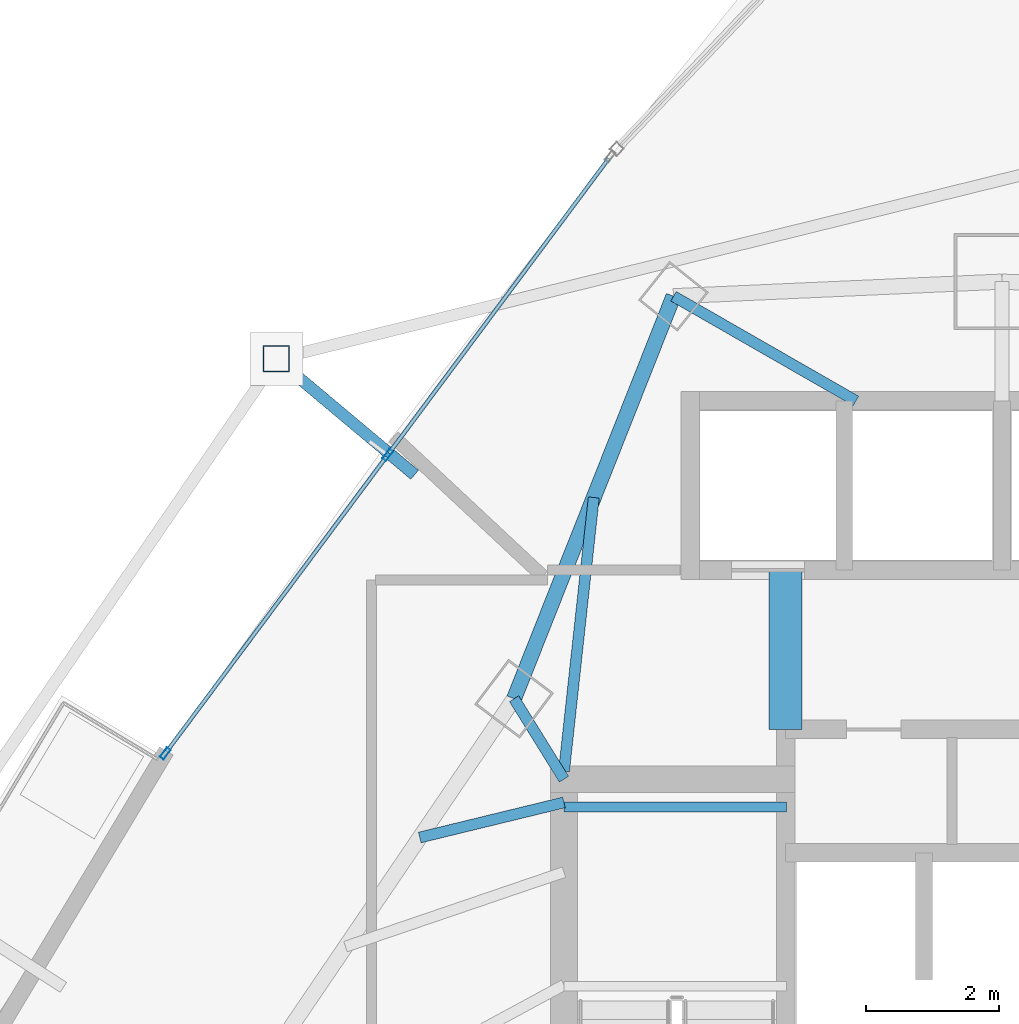
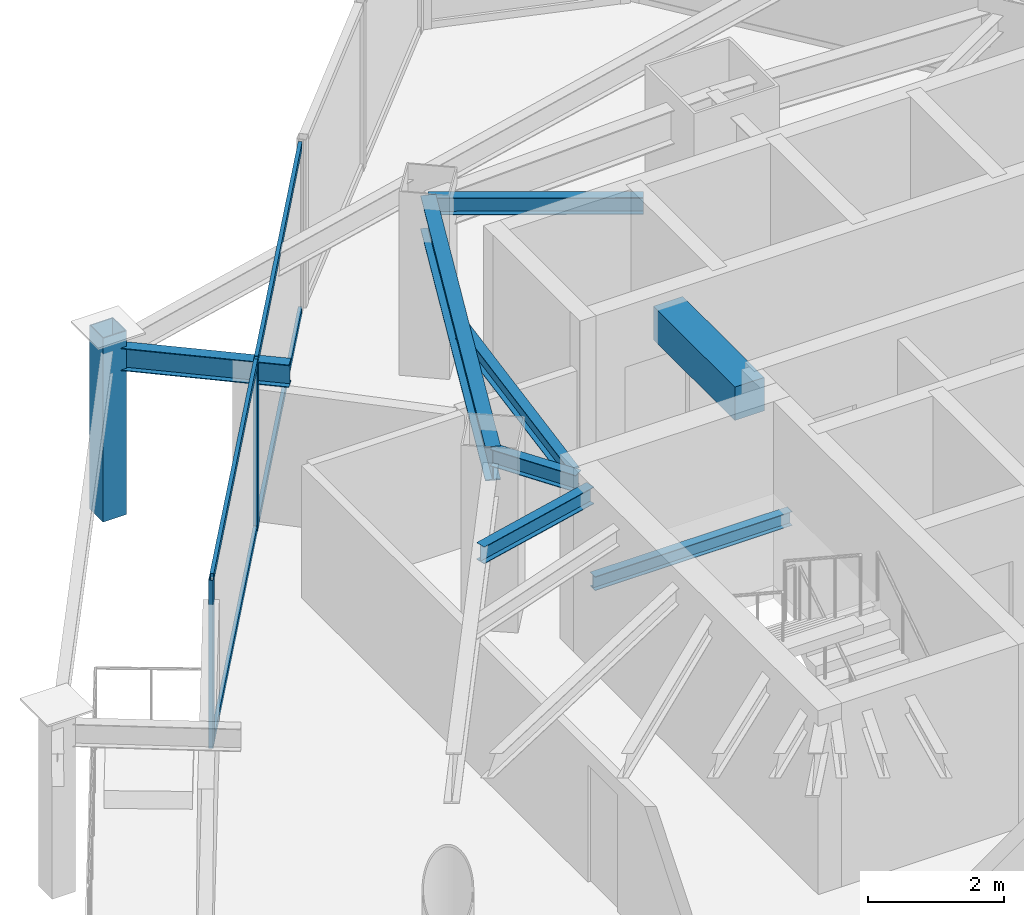
# One storey, part 18 of 30: 8 beams, 7 members, 1 element without a shape of its own.
"""IFC4 building model written with IfcOpenShell, lengths in metres."""

import ifcopenshell
import ifcopenshell.guid

model = None  # the IFC model being written
_history = None  # IfcOwnerHistory: only IFC2X3 demands one
_inside = {}  # id of a spatial element -> (the spatial element, [elements in it])
_under = {}  # id of a project, library or spatial element -> (it, [spatial elements below it])
_declared = {}  # id of a project -> (the project, [libraries it declares])
_typed = {}  # id of a type object -> (the type object, [elements of that type])
_made_of = {}  # id of a material, layer set ... -> (it, [elements and type objects made of it])


def new_model(schema):
    """Start an empty IFC model of exactly this schema.

    Asked for "IFC4X3", IfcOpenShell would pick the latest addendum, in which some entities
    have other attributes; the version numbers below select the first issue.
    IFC2X3 requires an IfcOwnerHistory on every rooted entity: one is made here for all.
    """
    global model, _history
    if schema == "IFC4X3":
        model = ifcopenshell.file(schema_version=(4, 3, 0, 0))
    else:
        model = ifcopenshell.file(schema=schema)
    _inside.clear()
    _under.clear()
    _declared.clear()
    _typed.clear()
    _made_of.clear()
    _history = None
    if model.schema == "IFC2X3":
        org = make("IfcOrganization", Name="unknown")
        user = make(
            "IfcPersonAndOrganization",
            ThePerson=make("IfcPerson", FamilyName="unknown"),
            TheOrganization=org,
        )
        app = make(
            "IfcApplication",
            ApplicationDeveloper=org,
            Version="unknown",
            ApplicationFullName="unknown",
            ApplicationIdentifier="unknown",
        )
        _history = make(
            "IfcOwnerHistory",
            OwningUser=user,
            OwningApplication=app,
            ChangeAction="ADDED",
            CreationDate=0,
        )
    return model


def make(cls, **values):
    """One entity of the class cls with the attributes given. An attribute that is None is left unset."""
    return model.create_entity(
        cls, **{name: value for name, value in values.items() if value is not None}
    )


def rooted(cls, **values):
    """An entity with a GlobalId (a new one), such as an element, a storey or a relation."""
    return make(cls, GlobalId=ifcopenshell.guid.new(), OwnerHistory=_history, **values)


def si_unit(unit_type, name, prefix=None):
    """IfcSIUnit, for example si_unit("LENGTHUNIT", "METRE", prefix="MILLI")."""
    return make("IfcSIUnit", UnitType=unit_type, Prefix=prefix, Name=name)


def assignment(units):
    """IfcUnitAssignment: the units of a project."""
    return None if units is None else make("IfcUnitAssignment", Units=units)


def point(xyz):
    """IfcCartesianPoint."""
    return None if xyz is None else make("IfcCartesianPoint", Coordinates=xyz)


def direction(xyz):
    """IfcDirection."""
    return None if xyz is None else make("IfcDirection", DirectionRatios=xyz)


def frame(location, z_axis=None, x_axis=None):
    """IfcAxis2Placement3D, a coordinate frame: its origin and axes. An axis left out is left unset."""
    return make(
        "IfcAxis2Placement3D",
        Location=point(location),
        Axis=direction(z_axis),
        RefDirection=direction(x_axis),
    )


def frame_2d(location, x_axis=None):
    """IfcAxis2Placement2D, a coordinate frame in the plane: its origin and x axis."""
    return make(
        "IfcAxis2Placement2D", Location=point(location), RefDirection=direction(x_axis)
    )


def origin():
    """The frame at (0, 0, 0) with its axes left unset."""
    return frame((0.0, 0.0, 0.0))


def origin_2d():
    """The frame at (0, 0) in the plane with its x axis left unset."""
    return frame_2d((0.0, 0.0))


def place(relative_to, where):
    """IfcLocalPlacement: puts the frame where relative to a parent placement (None: the world)."""
    return make(
        "IfcLocalPlacement", PlacementRelTo=relative_to, RelativePlacement=where
    )


def context(
    kind, dimensions, precision=None, world=None, true_north=None, identifier=None
):
    """IfcGeometricRepresentationContext, for example the 3D "Model" context."""
    return make(
        "IfcGeometricRepresentationContext",
        ContextIdentifier=identifier,
        ContextType=kind,
        CoordinateSpaceDimension=dimensions,
        Precision=precision,
        WorldCoordinateSystem=world,
        TrueNorth=true_north,
    )


def subcontext(parent, identifier, kind, view, scale=None):
    """IfcGeometricRepresentationSubContext, for example "Body" below "Model"."""
    return make(
        "IfcGeometricRepresentationSubContext",
        ContextIdentifier=identifier,
        ContextType=kind,
        ParentContext=parent,
        TargetScale=scale,
        TargetView=view,
    )


def project(units=None, contexts=None):
    """IfcProject with its units and contexts."""
    return rooted(
        "IfcProject",
        Name="project",
        RepresentationContexts=contexts,
        UnitsInContext=assignment(units),
    )


def spatial(cls, under=None, at=None, **own):
    """A site, building, storey or space (cls), placed at a placement, below another one or the project."""
    s = rooted(cls, ObjectPlacement=at, **own)
    if under is not None:
        _under.setdefault(under.id(), (under, []))[1].append(s)
    return s


def profile(cls, at=None, kind="AREA", **sizes):
    """A parametric profile (cls). Its sizes go by their IFC names, for example OverallWidth=200.0."""
    return make(cls, ProfileType=kind, Position=at, **sizes)


def rectangle(**sizes):
    """IfcRectangleProfileDef."""
    return profile("IfcRectangleProfileDef", **sizes)


def hollow_rectangle(**sizes):
    """IfcRectangleHollowProfileDef."""
    return profile("IfcRectangleHollowProfileDef", **sizes)


def i_section(**sizes):
    """IfcIShapeProfileDef."""
    return profile("IfcIShapeProfileDef", **sizes)


def extrude(swept, where, along, depth):
    """IfcExtrudedAreaSolid: the profile swept, set in the frame where, extruded along a direction by depth."""
    return make(
        "IfcExtrudedAreaSolid",
        SweptArea=swept,
        Position=where,
        ExtrudedDirection=direction(along),
        Depth=depth,
    )


def shape(context_of_items, identifier, shape_type, items):
    """IfcShapeRepresentation: the items that make up one representation, for example the "Body"."""
    return make(
        "IfcShapeRepresentation",
        ContextOfItems=context_of_items,
        RepresentationIdentifier=identifier,
        RepresentationType=shape_type,
        Items=items,
    )


def material(Name=None, Category=None):
    """IfcMaterial."""
    return make("IfcMaterial", Name=Name, Category=Category)


def layer(
    of_material, thickness, ventilated=None, Name=None, Category=None, Priority=None
):
    """IfcMaterialLayer: one layer of a wall or slab, of a material (None: an air gap)."""
    return make(
        "IfcMaterialLayer",
        Material=of_material,
        LayerThickness=thickness,
        IsVentilated=ventilated,
        Name=Name,
        Category=Category,
        Priority=Priority,
    )


def layer_set(layers, Name=None):
    """IfcMaterialLayerSet."""
    return make("IfcMaterialLayerSet", MaterialLayers=layers, LayerSetName=Name)


def material_profile(
    of_material, cross_section, Name=None, Category=None, Priority=None
):
    """IfcMaterialProfile: a cross section and its material."""
    return make(
        "IfcMaterialProfile",
        Name=Name,
        Material=of_material,
        Profile=cross_section,
        Priority=Priority,
        Category=Category,
    )


def profile_set(profiles, Name=None, composite=None):
    """IfcMaterialProfileSet."""
    return make(
        "IfcMaterialProfileSet",
        Name=Name,
        MaterialProfiles=profiles,
        CompositeProfile=composite,
    )


def made_of(thing, what):
    """Note that an element or type object is made of a material, layer set ...; save() writes the relation."""
    if what is not None:
        _made_of.setdefault(what.id(), (what, []))[1].append(thing)
    return thing


def type_object(cls, material=None, **own):
    """A type object (cls), such as IfcWallType, which elements share."""
    return made_of(rooted(cls, **own), material)


def element(
    cls,
    number,
    at=None,
    inside=None,
    cuts=None,
    type_object=None,
    material=None,
    context=None,
    identifier="Body",
    shape_type=None,
    held_by="IfcProductDefinitionShape",
    body=None,
    shapes=None,
    **own,
):
    """One element of the class cls, such as IfcWall. Its Tag is "e" and its number.

    at: its placement. inside: the storey or other place that contains it. cuts: it is an
    opening in that element (IfcRelVoidsElement). A single representation is given by context,
    identifier, shape_type and body (its items); several are given by shapes. held_by: the class
    of the entity that holds the representations. save() writes the other relations.
    """
    e = rooted(cls, Tag="e%d" % number, ObjectPlacement=at, **own)
    if body is not None:
        shapes = [shape(context, identifier, shape_type, body)]
    if shapes is not None:
        e.Representation = make(held_by, Representations=shapes)
    if inside is not None:
        _inside.setdefault(inside.id(), (inside, []))[1].append(e)
    if cuts is not None:
        rooted(
            "IfcRelVoidsElement", RelatingBuildingElement=cuts, RelatedOpeningElement=e
        )
    if type_object is not None:
        _typed.setdefault(type_object.id(), (type_object, []))[1].append(e)
    return made_of(e, material)


def aggregate(whole, parts):
    """IfcRelAggregates: a whole, such as a stair, and the parts it consists of."""
    return rooted("IfcRelAggregates", RelatingObject=whole, RelatedObjects=parts)


def save(model, path):
    """Write the relations noted so far, then the file.

    IfcRelAggregates (storeys below a building ...), IfcRelContainedInSpatialStructure (elements
    in a storey), IfcRelDefinesByType, IfcRelAssociatesMaterial and IfcRelDeclares: one each for
    every whole, place, type object, material and project.
    """
    for whole, parts in _under.values():
        aggregate(whole, parts)
    for where, things in _inside.values():
        rooted(
            "IfcRelContainedInSpatialStructure",
            RelatedElements=things,
            RelatingStructure=where,
        )
    for kind, things in _typed.values():
        rooted("IfcRelDefinesByType", RelatedObjects=things, RelatingType=kind)
    for what, things in _made_of.values():
        rooted("IfcRelAssociatesMaterial", RelatedObjects=things, RelatingMaterial=what)
    for by, libraries in _declared.values():
        rooted("IfcRelDeclares", RelatingContext=by, RelatedDefinitions=libraries)
    model.write(path)


model = new_model("IFC4")

# Units and contexts
model_context = context("Model", 3, precision=1e-05, world=origin(), true_north=direction((0.0, 1.0)))
body_context = subcontext(model_context, "Body", "Model", "MODEL_VIEW")
ifc_project = project(units=[si_unit("LENGTHUNIT", "METRE"), si_unit("AREAUNIT", "SQUARE_METRE"), si_unit("VOLUMEUNIT", "CUBIC_METRE"), si_unit("PLANEANGLEUNIT", "RADIAN"), si_unit("MASSUNIT", "GRAM", prefix="KILO")], contexts=[model_context])

# Site, building, storey
site_placement = place(None, origin())
site = spatial("IfcSite", under=ifc_project, at=site_placement, CompositionType="ELEMENT")
building_placement = place(site_placement, origin())
building = spatial("IfcBuilding", under=site, at=building_placement, Name="Orvanel Arch Residences", CompositionType="ELEMENT")
storey_placement = place(building_placement, frame((0.0, 0.0, 143.0)))
storey = spatial("IfcBuildingStorey", under=building, at=storey_placement, Name="L40", CompositionType="ELEMENT", Elevation=143.0)

# Beams
ifc_material_1 = material(Name="Structural steel AS/NZS 3679.1 Grade 300 (300 MPa)", Category="steel")
ifc_material_profile_1 = material_profile(ifc_material_1, i_section(OverallWidth=0.14599609375, OverallDepth=0.251953125, WebThickness=0.006103515625, FlangeThickness=0.008544921875, at=origin_2d()), Name="250UB31.4")
ifc_profile_set_1 = profile_set([ifc_material_profile_1], Name="Structural steel AS/NZS 3679.1 Grade 300 (300 MPa)")
beam_type_1 = type_object("IfcBeamType", Name="BJ-250UB", PredefinedType="JOIST", material=ifc_profile_set_1)
beam_1_placement = place(storey_placement, frame((26.39990234375, 33.47998046875, 1.323974609375), z_axis=(1.0, 0.0, 0.0), x_axis=(0.0, 1.0, 0.0)))
element("IfcBeam", 1, at=beam_1_placement, inside=storey, type_object=beam_type_1, Name="L40 ST-1 Half-Landing Support Beam 1.2", PredefinedType="JOIST", context=body_context, shape_type="SweptSolid", body=[
    extrude(i_section(OverallWidth=0.14599609375, OverallDepth=0.251953125, WebThickness=0.006103515625, FlangeThickness=0.008544921875, at=origin_2d()), origin(), (0.0, 0.0, 1.0), 3.35009765625),
])
ifc_material_profile_2 = material_profile(ifc_material_1, i_section(OverallWidth=0.1650390625, OverallDepth=0.303955078125, WebThickness=0.006103515625, FlangeThickness=0.01025390625, at=origin_2d()), Name="310UB40.4")
ifc_profile_set_2 = profile_set([ifc_material_profile_2], Name="Structural steel AS/NZS 3679.1 Grade 300 (300 MPa)")
beam_type_2 = type_object("IfcBeamType", Name="BJ-310UB", PredefinedType="JOIST", material=ifc_profile_set_2)
beam_2_placement = place(storey_placement, frame((26.39990234375, 33.89990234375, 2.867919921875), z_axis=(-0.526843290616, 0.84996243866, 0.0), x_axis=(-0.84996243866, -0.526843290616, 0.0)))
element("IfcBeam", 2, at=beam_2_placement, inside=storey, type_object=beam_type_2, Name="L40 NNW Wing Floor Joist", PredefinedType="JOIST", context=body_context, shape_type="SweptSolid", body=[
    extrude(i_section(OverallWidth=0.1650390625, OverallDepth=0.303955078125, WebThickness=0.006103515625, FlangeThickness=0.01025390625, at=origin_2d()), origin(), (0.0, 0.0, 1.0), 1.42724609375),
])
beam_3_placement = place(storey_placement, frame((26.39990234375, 34.02001953125, 2.867919921875), z_axis=(0.108261441852, 0.99412245735, 0.0), x_axis=(-0.99412245735, 0.108261441852, 0.0)))
element("IfcBeam", 3, at=beam_3_placement, inside=storey, type_object=beam_type_2, Name="L40 NNW2 Wing Floor Joist", PredefinedType="JOIST", context=body_context, shape_type="SweptSolid", body=[
    extrude(i_section(OverallWidth=0.1650390625, OverallDepth=0.303955078125, WebThickness=0.006103515625, FlangeThickness=0.01025390625, at=origin_2d()), origin(), (0.0, 0.0, 1.0), 4.1494140625),
])
beam_4_placement = place(storey_placement, frame((30.800048828125, 39.60009765625, 2.867919921875), z_axis=(-0.86736513383, 0.497672306458, 0.0), x_axis=(-0.497672306458, -0.86736513383, 0.0)))
element("IfcBeam", 4, at=beam_4_placement, inside=storey, type_object=beam_type_2, Name="L40 MNW Wing Floor Joist", PredefinedType="JOIST", context=body_context, shape_type="SweptSolid", body=[
    extrude(i_section(OverallWidth=0.1650390625, OverallDepth=0.303955078125, WebThickness=0.006103515625, FlangeThickness=0.01025390625, at=origin_2d()), origin(), (0.0, 0.0, 1.0), 3.17041015625),
])
beam_5_placement = place(storey_placement, frame((26.39990234375, 33.550048828125, 2.867919921875), z_axis=(-0.971638471014, -0.236471312521, 0.0), x_axis=(0.236471312521, -0.971638471014, 0.0)))
element("IfcBeam", 5, at=beam_5_placement, inside=storey, type_object=beam_type_2, Name="L40 JADD3 Wing Floor Joist", PredefinedType="JOIST", context=body_context, shape_type="SweptSolid", body=[
    extrude(i_section(OverallWidth=0.1650390625, OverallDepth=0.303955078125, WebThickness=0.006103515625, FlangeThickness=0.01025390625, at=origin_2d()), origin(), (0.0, 0.0, 1.0), 2.2373046875),
])
ifc_material_2 = material(Name="Concrete S65 (65 MPa)", Category="concrete")
ifc_material_profile_3 = material_profile(ifc_material_2, rectangle(XDim=0.5, YDim=0.60009765625, at=origin_2d()), Name="RC500x600")
ifc_profile_set_3 = profile_set([ifc_material_profile_3], Name="Concrete S65 (65 MPa)")
beam_type_3 = type_object("IfcBeamType", Name="CB-500x600", PredefinedType="LINTEL", material=ifc_profile_set_3)
beam_6_placement = place(storey_placement, frame((29.739990234375, 34.64990234375, 2.719970703125), z_axis=(0.0, 1.0, 0.0), x_axis=(-1.0, 0.0, 0.0)))
element("IfcBeam", 6, at=beam_6_placement, inside=storey, type_object=beam_type_3, Name="L40 West Core Lobby Coupling Lintel Beam", PredefinedType="LINTEL", context=body_context, shape_type="SweptSolid", body=[
    extrude(rectangle(XDim=0.5, YDim=0.60009765625, at=origin_2d()), origin(), (0.0, 0.0, 1.0), 2.400146484375),
])

# Curtain wall, members
ifc_material_3 = material(Name="Bronze-anodised aluminium AA6063-T6", Category="aluminium")
ifc_layer = layer(ifc_material_3, 0.179931640625)
ifc_layer_set = layer_set([ifc_layer], Name="Bronze-anodised aluminium AA6063-T6")
curtain_wall_type = type_object("IfcCurtainWallType", Name="CW3-MID-SYS", PredefinedType="NOTDEFINED", material=ifc_layer_set)
curtain_wall_placement = place(storey_placement, origin())
curtain_wall = element("IfcCurtainWall", 7, at=curtain_wall_placement, inside=storey, type_object=curtain_wall_type, Name="L40 CW3-MID-SYS Unitised Curtain Wall", PredefinedType="NOTDEFINED")
ifc_material_profile_4 = material_profile(ifc_material_3, hollow_rectangle(XDim=0.070068359375, YDim=0.179931640625, WallThickness=0.00439453125, at=origin_2d()), Name="ALU180x70x4.5")
ifc_profile_set_4 = profile_set([ifc_material_profile_4], Name="Bronze-anodised aluminium AA6063-T6")
member_type_1 = type_object("IfcMemberType", Name="MUL-180x70", PredefinedType="MULLION", material=ifc_profile_set_4)
member_1_placement = place(storey_placement, frame((23.743408203125, 38.785400390625, 0.0), z_axis=(0.0, 0.0, 1.0), x_axis=(0.801813762641, -0.597574003819, 0.0)))
member_1 = element("IfcMember", 8, at=member_1_placement, type_object=member_type_1, Name="CW-S3 mullion 2", PredefinedType="MULLION", context=body_context, shape_type="SweptSolid", body=[
    extrude(hollow_rectangle(XDim=0.070068359375, YDim=0.179931640625, WallThickness=0.00439453125, at=origin_2d()), origin(), (0.0, 0.0, 1.0), 3.02001953125),
])
member_2_placement = place(storey_placement, frame((20.390869140625, 34.287109375, 0.0), z_axis=(0.0, 0.0, 1.0), x_axis=(0.801813762641, -0.597574003819, 0.0)))
member_2 = element("IfcMember", 9, at=member_2_placement, type_object=member_type_1, Name="CW-S3 mullion 3", PredefinedType="MULLION", context=body_context, shape_type="SweptSolid", body=[
    extrude(hollow_rectangle(XDim=0.070068359375, YDim=0.179931640625, WallThickness=0.00439453125, at=origin_2d()), origin(), (0.0, 0.0, 1.0), 3.02001953125),
])

# Beams
ifc_material_profile_5 = material_profile(ifc_material_1, i_section(OverallWidth=0.177978515625, OverallDepth=0.406005859375, WebThickness=0.0078125, FlangeThickness=0.0126953125, at=origin_2d()), Name="410UB59.7")
ifc_profile_set_5 = profile_set([ifc_material_profile_5], Name="Structural steel AS/NZS 3679.1 Grade 300 (300 MPa)")
beam_type_4 = type_object("IfcBeamType", Name="OB-410UB-EXT", PredefinedType="SPANDREL", material=ifc_profile_set_5)
beam_7_placement = place(storey_placement, frame((24.14892578125, 38.488037109375, 2.81689453125), z_axis=(-0.766435577435, 0.642321185733, 0.0), x_axis=(-0.642321185733, -0.766435577435, 0.0)))
element("IfcBeam", 10, at=beam_7_placement, inside=storey, type_object=beam_type_4, Name="L40 Outer Frame Radial Tie Beam 01", PredefinedType="SPANDREL", context=body_context, shape_type="SweptSolid", body=[
    extrude(i_section(OverallWidth=0.177978515625, OverallDepth=0.406005859375, WebThickness=0.0078125, FlangeThickness=0.0126953125, at=origin_2d()), origin(), (0.0, 0.0, 1.0), 2.716552734375),
])
ifc_material_profile_6 = material_profile(ifc_material_1, i_section(OverallWidth=0.22900390625, OverallDepth=0.612060546875, WebThickness=0.011962890625, FlangeThickness=0.01953125, at=origin_2d()), Name="610UB125")
ifc_profile_set_6 = profile_set([ifc_material_profile_6], Name="Structural steel AS/NZS 3679.1 Grade 300 (300 MPa)")
beam_type_5 = type_object("IfcBeamType", Name="SP-610UB", PredefinedType="SPANDREL", material=ifc_profile_set_6)
beam_8_placement = place(storey_placement, frame((28.050048828125, 41.177978515625, 2.714111328125), z_axis=(-0.368233143579, -0.929733484376, 0.0), x_axis=(0.929733484376, -0.368233143579, 0.0)))
element("IfcBeam", 11, at=beam_8_placement, inside=storey, type_object=beam_type_5, Name="L40 Perimeter Spandrel Beam 16", PredefinedType="SPANDREL", context=body_context, shape_type="SweptSolid", body=[
    extrude(i_section(OverallWidth=0.22900390625, OverallDepth=0.612060546875, WebThickness=0.011962890625, FlangeThickness=0.01953125, at=origin_2d()), origin(), (0.0, 0.0, 1.0), 6.523193359375),
])

# Member
ifc_material_4 = material(Name="Structural steel AS/NZS 1163 C450L0 (Grade 450)", Category="steel")
ifc_material_profile_7 = material_profile(ifc_material_4, hollow_rectangle(XDim=0.39990234375, YDim=0.39990234375, WallThickness=0.01611328125, at=origin_2d()), Name="SHS400x400x16")
ifc_profile_set_7 = profile_set([ifc_material_profile_7], Name="Structural steel AS/NZS 1163 C450L0 (Grade 450)")
member_type_2 = type_object("IfcMemberType", Name="ST-400SHS-EXT", PredefinedType="STRUT", material=ifc_profile_set_7)
member_3_placement = place(storey_placement, frame((22.06689453125, 40.23291015625, 0.0), z_axis=(0.0, 0.0, 1.0), x_axis=(1.0, 0.0, 0.0)))
element("IfcMember", 12, at=member_3_placement, inside=storey, type_object=member_type_2, Name="L40 Outer Perimeter Frame Post 01", PredefinedType="STRUT", context=body_context, shape_type="SweptSolid", body=[
    extrude(hollow_rectangle(XDim=0.39990234375, YDim=0.39990234375, WallThickness=0.01611328125, at=origin_2d()), origin(), (0.0, 0.0, 1.0), 3.300048828125),
])

ifc_material_profile_8 = material_profile(ifc_material_3, hollow_rectangle(XDim=0.06005859375, YDim=0.135009765625, WallThickness=0.00390625, at=origin_2d()), Name="ALU135x60x4")
ifc_profile_set_8 = profile_set([ifc_material_profile_8], Name="Bronze-anodised aluminium AA6063-T6")
member_type_3 = type_object("IfcMemberType", Name="TRN-135x60", PredefinedType="USERDEFINED", material=ifc_profile_set_8)
member_4_placement = place(storey_placement, frame((27.0751953125, 43.255859375, 0.030029296875), z_axis=(-0.597571878991, -0.801815346223, 0.0), x_axis=(0.801815346223, -0.597571878991, 0.0)))
member_4 = element("IfcMember", 13, at=member_4_placement, type_object=member_type_3, Name="CW-S3 transom 1.1", ObjectType="TRANSOM", PredefinedType="USERDEFINED", context=body_context, shape_type="SweptSolid", body=[
    extrude(hollow_rectangle(XDim=0.06005859375, YDim=0.135009765625, WallThickness=0.00390625, at=origin_2d()), origin(), (0.0, 0.0, 1.0), 5.54052734375),
])

member_5_placement = place(storey_placement, frame((27.0751953125, 43.255859375, 2.989990234375), z_axis=(-0.597571878991, -0.801815346223, 0.0), x_axis=(0.801815346223, -0.597571878991, 0.0)))
member_5 = element("IfcMember", 14, at=member_5_placement, type_object=member_type_3, Name="CW-S3 transom 1.2", ObjectType="TRANSOM", PredefinedType="USERDEFINED", context=body_context, shape_type="SweptSolid", body=[
    extrude(hollow_rectangle(XDim=0.06005859375, YDim=0.135009765625, WallThickness=0.00390625, at=origin_2d()), origin(), (0.0, 0.0, 1.0), 5.54052734375),
])

member_6_placement = place(storey_placement, frame((23.72265625, 38.75732421875, 0.030029296875), z_axis=(-0.597592993163, -0.801799609954, 0.0), x_axis=(0.801799609954, -0.597592993163, 0.0)))
member_6 = element("IfcMember", 15, at=member_6_placement, type_object=member_type_3, Name="CW-S3 transom 2.1", ObjectType="TRANSOM", PredefinedType="USERDEFINED", context=body_context, shape_type="SweptSolid", body=[
    extrude(hollow_rectangle(XDim=0.06005859375, YDim=0.135009765625, WallThickness=0.00390625, at=origin_2d()), origin(), (0.0, 0.0, 1.0), 5.540283203125),
])

member_7_placement = place(storey_placement, frame((23.72265625, 38.75732421875, 2.989990234375), z_axis=(-0.597592993163, -0.801799609954, 0.0), x_axis=(0.801799609954, -0.597592993163, 0.0)))
member_7 = element("IfcMember", 16, at=member_7_placement, type_object=member_type_3, Name="CW-S3 transom 2.2", ObjectType="TRANSOM", PredefinedType="USERDEFINED", context=body_context, shape_type="SweptSolid", body=[
    extrude(hollow_rectangle(XDim=0.06005859375, YDim=0.135009765625, WallThickness=0.00390625, at=origin_2d()), origin(), (0.0, 0.0, 1.0), 5.540283203125),
])

aggregate(curtain_wall, [member_1, member_2, member_4, member_5, member_6, member_7])

save(model, "model.ifc")
